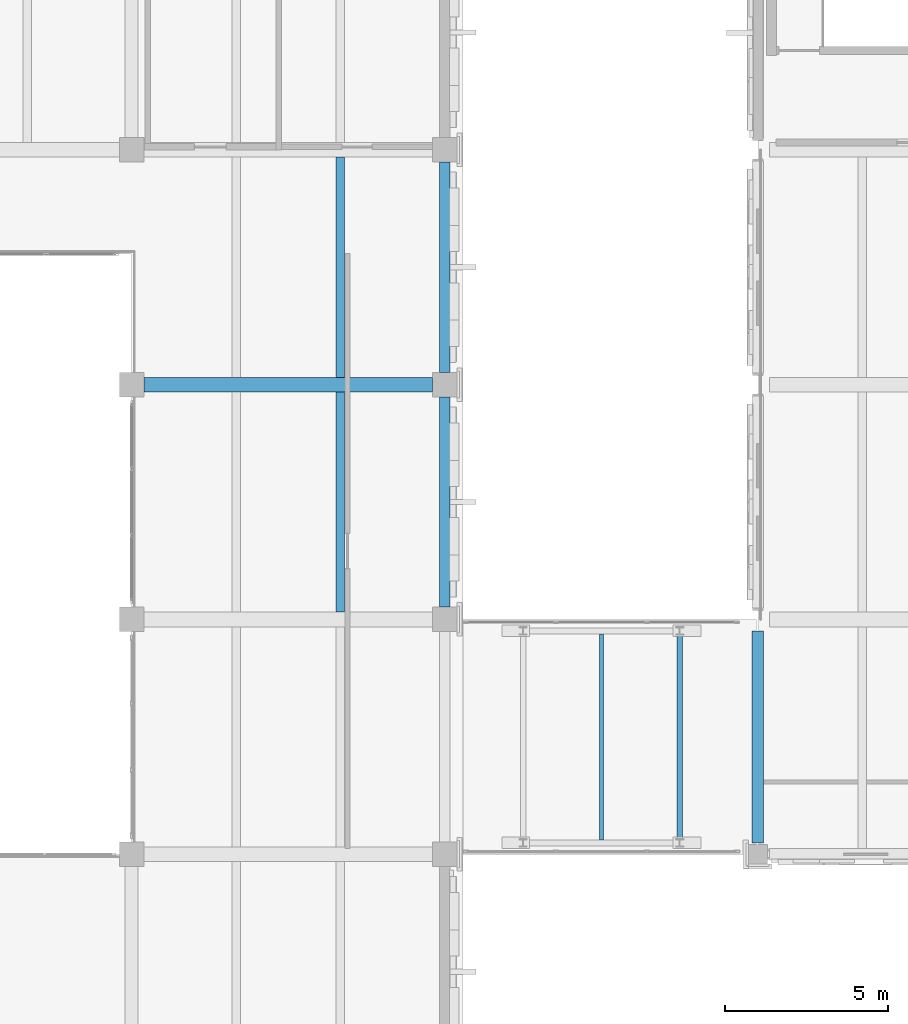
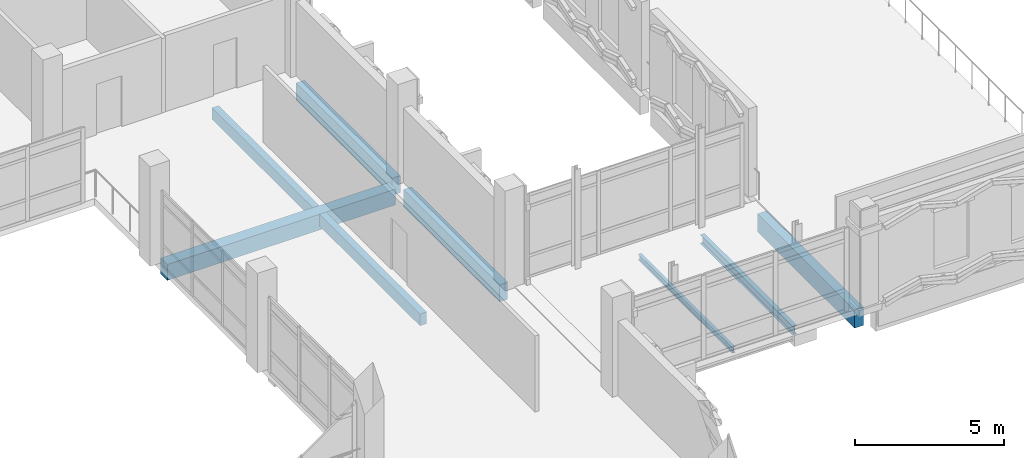
# One storey, part 108 of 180: 8 beams.
"""IFC4 building model written with IfcOpenShell, lengths in metres."""

import ifcopenshell
import ifcopenshell.guid

model = None  # the IFC model being written
_history = None  # IfcOwnerHistory: only IFC2X3 demands one
_inside = {}  # id of a spatial element -> (the spatial element, [elements in it])
_under = {}  # id of a project, library or spatial element -> (it, [spatial elements below it])
_declared = {}  # id of a project -> (the project, [libraries it declares])
_typed = {}  # id of a type object -> (the type object, [elements of that type])
_made_of = {}  # id of a material, layer set ... -> (it, [elements and type objects made of it])


def new_model(schema):
    """Start an empty IFC model of exactly this schema.

    Asked for "IFC4X3", IfcOpenShell would pick the latest addendum, in which some entities
    have other attributes; the version numbers below select the first issue.
    IFC2X3 requires an IfcOwnerHistory on every rooted entity: one is made here for all.
    """
    global model, _history
    if schema == "IFC4X3":
        model = ifcopenshell.file(schema_version=(4, 3, 0, 0))
    else:
        model = ifcopenshell.file(schema=schema)
    _inside.clear()
    _under.clear()
    _declared.clear()
    _typed.clear()
    _made_of.clear()
    _history = None
    if model.schema == "IFC2X3":
        org = make("IfcOrganization", Name="unknown")
        user = make(
            "IfcPersonAndOrganization",
            ThePerson=make("IfcPerson", FamilyName="unknown"),
            TheOrganization=org,
        )
        app = make(
            "IfcApplication",
            ApplicationDeveloper=org,
            Version="unknown",
            ApplicationFullName="unknown",
            ApplicationIdentifier="unknown",
        )
        _history = make(
            "IfcOwnerHistory",
            OwningUser=user,
            OwningApplication=app,
            ChangeAction="ADDED",
            CreationDate=0,
        )
    return model


def make(cls, **values):
    """One entity of the class cls with the attributes given. An attribute that is None is left unset."""
    return model.create_entity(
        cls, **{name: value for name, value in values.items() if value is not None}
    )


def rooted(cls, **values):
    """An entity with a GlobalId (a new one), such as an element, a storey or a relation."""
    return make(cls, GlobalId=ifcopenshell.guid.new(), OwnerHistory=_history, **values)


def si_unit(unit_type, name, prefix=None):
    """IfcSIUnit, for example si_unit("LENGTHUNIT", "METRE", prefix="MILLI")."""
    return make("IfcSIUnit", UnitType=unit_type, Prefix=prefix, Name=name)


def assignment(units):
    """IfcUnitAssignment: the units of a project."""
    return None if units is None else make("IfcUnitAssignment", Units=units)


def point(xyz):
    """IfcCartesianPoint."""
    return None if xyz is None else make("IfcCartesianPoint", Coordinates=xyz)


def direction(xyz):
    """IfcDirection."""
    return None if xyz is None else make("IfcDirection", DirectionRatios=xyz)


def frame(location, z_axis=None, x_axis=None):
    """IfcAxis2Placement3D, a coordinate frame: its origin and axes. An axis left out is left unset."""
    return make(
        "IfcAxis2Placement3D",
        Location=point(location),
        Axis=direction(z_axis),
        RefDirection=direction(x_axis),
    )


def frame_2d(location, x_axis=None):
    """IfcAxis2Placement2D, a coordinate frame in the plane: its origin and x axis."""
    return make(
        "IfcAxis2Placement2D", Location=point(location), RefDirection=direction(x_axis)
    )


def origin():
    """The frame at (0, 0, 0) with its axes left unset."""
    return frame((0.0, 0.0, 0.0))


def origin_2d():
    """The frame at (0, 0) in the plane with its x axis left unset."""
    return frame_2d((0.0, 0.0))


def place(relative_to, where):
    """IfcLocalPlacement: puts the frame where relative to a parent placement (None: the world)."""
    return make(
        "IfcLocalPlacement", PlacementRelTo=relative_to, RelativePlacement=where
    )


def context(
    kind, dimensions, precision=None, world=None, true_north=None, identifier=None
):
    """IfcGeometricRepresentationContext, for example the 3D "Model" context."""
    return make(
        "IfcGeometricRepresentationContext",
        ContextIdentifier=identifier,
        ContextType=kind,
        CoordinateSpaceDimension=dimensions,
        Precision=precision,
        WorldCoordinateSystem=world,
        TrueNorth=true_north,
    )


def subcontext(parent, identifier, kind, view, scale=None):
    """IfcGeometricRepresentationSubContext, for example "Body" below "Model"."""
    return make(
        "IfcGeometricRepresentationSubContext",
        ContextIdentifier=identifier,
        ContextType=kind,
        ParentContext=parent,
        TargetScale=scale,
        TargetView=view,
    )


def project(units=None, contexts=None):
    """IfcProject with its units and contexts."""
    return rooted(
        "IfcProject",
        Name="project",
        RepresentationContexts=contexts,
        UnitsInContext=assignment(units),
    )


def spatial(cls, under=None, at=None, **own):
    """A site, building, storey or space (cls), placed at a placement, below another one or the project."""
    s = rooted(cls, ObjectPlacement=at, **own)
    if under is not None:
        _under.setdefault(under.id(), (under, []))[1].append(s)
    return s


def profile(cls, at=None, kind="AREA", **sizes):
    """A parametric profile (cls). Its sizes go by their IFC names, for example OverallWidth=200.0."""
    return make(cls, ProfileType=kind, Position=at, **sizes)


def rectangle(**sizes):
    """IfcRectangleProfileDef."""
    return profile("IfcRectangleProfileDef", **sizes)


def i_section(**sizes):
    """IfcIShapeProfileDef."""
    return profile("IfcIShapeProfileDef", **sizes)


def extrude(swept, where, along, depth):
    """IfcExtrudedAreaSolid: the profile swept, set in the frame where, extruded along a direction by depth."""
    return make(
        "IfcExtrudedAreaSolid",
        SweptArea=swept,
        Position=where,
        ExtrudedDirection=direction(along),
        Depth=depth,
    )


def shape(context_of_items, identifier, shape_type, items):
    """IfcShapeRepresentation: the items that make up one representation, for example the "Body"."""
    return make(
        "IfcShapeRepresentation",
        ContextOfItems=context_of_items,
        RepresentationIdentifier=identifier,
        RepresentationType=shape_type,
        Items=items,
    )


def material(Name=None, Category=None):
    """IfcMaterial."""
    return make("IfcMaterial", Name=Name, Category=Category)


def material_profile(
    of_material, cross_section, Name=None, Category=None, Priority=None
):
    """IfcMaterialProfile: a cross section and its material."""
    return make(
        "IfcMaterialProfile",
        Name=Name,
        Material=of_material,
        Profile=cross_section,
        Priority=Priority,
        Category=Category,
    )


def profile_set(profiles, Name=None, composite=None):
    """IfcMaterialProfileSet."""
    return make(
        "IfcMaterialProfileSet",
        Name=Name,
        MaterialProfiles=profiles,
        CompositeProfile=composite,
    )


def made_of(thing, what):
    """Note that an element or type object is made of a material, layer set ...; save() writes the relation."""
    if what is not None:
        _made_of.setdefault(what.id(), (what, []))[1].append(thing)
    return thing


def type_object(cls, material=None, **own):
    """A type object (cls), such as IfcWallType, which elements share."""
    return made_of(rooted(cls, **own), material)


def element(
    cls,
    number,
    at=None,
    inside=None,
    cuts=None,
    type_object=None,
    material=None,
    context=None,
    identifier="Body",
    shape_type=None,
    held_by="IfcProductDefinitionShape",
    body=None,
    shapes=None,
    **own,
):
    """One element of the class cls, such as IfcWall. Its Tag is "e" and its number.

    at: its placement. inside: the storey or other place that contains it. cuts: it is an
    opening in that element (IfcRelVoidsElement). A single representation is given by context,
    identifier, shape_type and body (its items); several are given by shapes. held_by: the class
    of the entity that holds the representations. save() writes the other relations.
    """
    e = rooted(cls, Tag="e%d" % number, ObjectPlacement=at, **own)
    if body is not None:
        shapes = [shape(context, identifier, shape_type, body)]
    if shapes is not None:
        e.Representation = make(held_by, Representations=shapes)
    if inside is not None:
        _inside.setdefault(inside.id(), (inside, []))[1].append(e)
    if cuts is not None:
        rooted(
            "IfcRelVoidsElement", RelatingBuildingElement=cuts, RelatedOpeningElement=e
        )
    if type_object is not None:
        _typed.setdefault(type_object.id(), (type_object, []))[1].append(e)
    return made_of(e, material)


def aggregate(whole, parts):
    """IfcRelAggregates: a whole, such as a stair, and the parts it consists of."""
    return rooted("IfcRelAggregates", RelatingObject=whole, RelatedObjects=parts)


def save(model, path):
    """Write the relations noted so far, then the file.

    IfcRelAggregates (storeys below a building ...), IfcRelContainedInSpatialStructure (elements
    in a storey), IfcRelDefinesByType, IfcRelAssociatesMaterial and IfcRelDeclares: one each for
    every whole, place, type object, material and project.
    """
    for whole, parts in _under.values():
        aggregate(whole, parts)
    for where, things in _inside.values():
        rooted(
            "IfcRelContainedInSpatialStructure",
            RelatedElements=things,
            RelatingStructure=where,
        )
    for kind, things in _typed.values():
        rooted("IfcRelDefinesByType", RelatedObjects=things, RelatingType=kind)
    for what, things in _made_of.values():
        rooted("IfcRelAssociatesMaterial", RelatedObjects=things, RelatingMaterial=what)
    for by, libraries in _declared.values():
        rooted("IfcRelDeclares", RelatingContext=by, RelatedDefinitions=libraries)
    model.write(path)


model = new_model("IFC4")

# Units and contexts
model_context = context("Model", 3, precision=1e-05, world=origin(), true_north=direction((0.0, 1.0)))
body_context = subcontext(model_context, "Body", "Model", "MODEL_VIEW")
ifc_project = project(units=[si_unit("LENGTHUNIT", "METRE"), si_unit("AREAUNIT", "SQUARE_METRE"), si_unit("VOLUMEUNIT", "CUBIC_METRE"), si_unit("PLANEANGLEUNIT", "RADIAN"), si_unit("MASSUNIT", "GRAM", prefix="KILO")], contexts=[model_context])

# Site, building, storey
site_placement = place(None, origin())
site = spatial("IfcSite", under=ifc_project, at=site_placement, CompositionType="ELEMENT")
building_placement = place(site_placement, origin())
building = spatial("IfcBuilding", under=site, at=building_placement, Name="Asteropetra Specialist Clinic", CompositionType="ELEMENT")
storey_placement = place(building_placement, frame((0.0, 0.0, 4.419921875)))
storey = spatial("IfcBuildingStorey", under=building, at=storey_placement, Name="L01", CompositionType="ELEMENT", Elevation=4.419921875)

# Beams
ifc_material_1 = material(Name="Concrete C35/45", Category="concrete")
ifc_material_profile_1 = material_profile(ifc_material_1, rectangle(XDim=0.449951171875, YDim=0.64990234375, at=origin_2d()), Name="RCB 450x650")
ifc_profile_set_1 = profile_set([ifc_material_profile_1], Name="Concrete C35/45")
beam_type_1 = type_object("IfcBeamType", Name="BM-RC450x650", PredefinedType="BEAM", material=ifc_profile_set_1)
beam_1_placement = place(storey_placement, frame((67.574951171875, 91.199951171875, -0.60498046875), z_axis=(1.0, 0.0, 0.0), x_axis=(0.0, 1.0, 0.0)))
element("IfcBeam", 1, at=beam_1_placement, inside=storey, type_object=beam_type_1, Name="Beam BBM06-0645", PredefinedType="BEAM", context=body_context, shape_type="SweptSolid", body=[
    extrude(rectangle(XDim=0.449951171875, YDim=0.64990234375, at=origin_2d()), origin(), (0.0, 0.0, 1.0), 8.85009765625),
])
ifc_material_2 = material(Name="Steel S355", Category="steel")
ifc_material_profile_2 = material_profile(ifc_material_2, i_section(OverallWidth=0.169921875, OverallDepth=0.360107421875, WebThickness=0.008056640625, FlangeThickness=0.0126953125, FilletRadius=0.01806640625, at=origin_2d()), Name="IPE 360")
ifc_profile_set_2 = profile_set([ifc_material_profile_2], Name="Steel S355")
beam_type_2 = type_object("IfcBeamType", Name="BM-STL-IPE360", PredefinedType="BEAM", material=ifc_profile_set_2)
beam_2_placement = place(storey_placement, frame((84.0, 77.300048828125, -0.419921875), z_axis=(0.0, 1.0, 0.0), x_axis=(-1.0, 0.0, 0.0)))
element("IfcBeam", 2, at=beam_2_placement, inside=storey, type_object=beam_type_2, Name="Beam BBMS4-0825", PredefinedType="BEAM", context=body_context, shape_type="SweptSolid", body=[
    extrude(i_section(OverallWidth=0.169921875, OverallDepth=0.360107421875, WebThickness=0.008056640625, FlangeThickness=0.0126953125, FilletRadius=0.01806640625, at=origin_2d()), origin(), (0.0, 0.0, 1.0), 6.199951171875),
])
ifc_material_3 = material(Name="Concrete C35/45", Category="concrete")
ifc_material_profile_3 = material_profile(ifc_material_3, rectangle(XDim=0.260009765625, YDim=0.47998046875, at=origin_2d()), Name="RCJ 260x480")
ifc_profile_set_3 = profile_set([ifc_material_profile_3], Name="Concrete C35/45")
beam_type_3 = type_object("IfcBeamType", Name="JST-RC260x480", PredefinedType="JOIST", material=ifc_profile_set_3)
for number, where, z_axis, x_axis, name in (
    (3, (73.60009765625, 84.22509765625, -0.52001953125), (0.0, 1.0, 0.0), (-1.0, 0.0, 0.0), "Joist JJST02-0706"),
    (4, (73.60009765625, 91.425048828125, -0.52001953125), (0.0, 1.0, 0.0), (-1.0, 0.0, 0.0), "Joist JJST02-0717"),
):
    element("IfcBeam", number, at=place(storey_placement, frame(where, z_axis=z_axis, x_axis=x_axis)), inside=storey, type_object=beam_type_3, Name=name, PredefinedType="JOIST", context=body_context, shape_type="SweptSolid", body=[
        extrude(rectangle(XDim=0.260009765625, YDim=0.47998046875, at=origin_2d()), origin(), (0.0, 0.0, 1.0), 6.75),
    ])
ifc_material_4 = material(Name="Steel S355", Category="steel")
ifc_material_profile_4 = material_profile(ifc_material_4, i_section(OverallWidth=0.1201171875, OverallDepth=0.239990234375, WebThickness=0.006103515625, FlangeThickness=0.009765625, FilletRadius=0.014892578125, at=origin_2d()), Name="IPE 240")
ifc_profile_set_4 = profile_set([ifc_material_profile_4], Name="Steel S355")
beam_type_4 = type_object("IfcBeamType", Name="JST-STL-IPE240", PredefinedType="JOIST", material=ifc_profile_set_4)
beam_3_placement = place(storey_placement, frame((81.60009765625, 77.239990234375, -0.35986328125), z_axis=(0.0, 1.0, 0.0), x_axis=(-1.0, 0.0, 0.0)))
element("IfcBeam", 5, at=beam_3_placement, inside=storey, type_object=beam_type_4, Name="Joist JJSTS1-0826", PredefinedType="JOIST", context=body_context, shape_type="SweptSolid", body=[
    extrude(i_section(OverallWidth=0.1201171875, OverallDepth=0.239990234375, WebThickness=0.006103515625, FlangeThickness=0.009765625, FilletRadius=0.014892578125, at=origin_2d()), origin(), (0.0, 0.0, 1.0), 6.320068359375),
])
ifc_material_5 = material(Name="Concrete C35/45", Category="concrete")
ifc_material_profile_5 = material_profile(ifc_material_5, rectangle(XDim=0.320068359375, YDim=0.699951171875, at=origin_2d()), Name="RCS 320x700")
ifc_profile_set_5 = profile_set([ifc_material_profile_5], Name="Concrete C35/45")
beam_type_5 = type_object("IfcBeamType", Name="SPN-RC320x700", PredefinedType="SPANDREL", material=ifc_profile_set_5)
for number, where, z_axis, x_axis, name in (
    (6, (76.800048828125, 84.375, -0.6298828125), (0.0, 1.0, 0.0), (-1.0, 0.0, 0.0), "Beam BSPN02-0698"),
    (7, (76.800048828125, 91.574951171875, -0.6298828125), (0.0, 1.0, 0.0), (-1.0, 0.0, 0.0), "Beam BSPN02-0709"),
):
    element("IfcBeam", number, at=place(storey_placement, frame(where, z_axis=z_axis, x_axis=x_axis)), inside=storey, type_object=beam_type_5, Name=name, PredefinedType="SPANDREL", context=body_context, shape_type="SweptSolid", body=[
        extrude(rectangle(XDim=0.320068359375, YDim=0.699951171875, at=origin_2d()), origin(), (0.0, 0.0, 1.0), 6.449951171875),
    ])
ifc_material_6 = material(Name="Concrete C35/45", Category="concrete")
ifc_material_profile_6 = material_profile(ifc_material_6, rectangle(XDim=0.35009765625, YDim=0.75, at=origin_2d()), Name="RCS 350x750")
ifc_profile_set_6 = profile_set([ifc_material_profile_6], Name="Concrete C35/45")
beam_type_6 = type_object("IfcBeamType", Name="SPN-RC350x750", PredefinedType="SPANDREL", material=ifc_profile_set_6)
beam_4_placement = place(storey_placement, frame((86.39990234375, 77.14990234375, -0.655029296875), z_axis=(0.0, 1.0, 0.0), x_axis=(-1.0, 0.0, 0.0)))
element("IfcBeam", 8, at=beam_4_placement, inside=storey, type_object=beam_type_6, Name="Beam BSPN01-0590", PredefinedType="SPANDREL", context=body_context, shape_type="SweptSolid", body=[
    extrude(rectangle(XDim=0.35009765625, YDim=0.75, at=origin_2d()), origin(), (0.0, 0.0, 1.0), 6.5),
])

save(model, "model.ifc")
